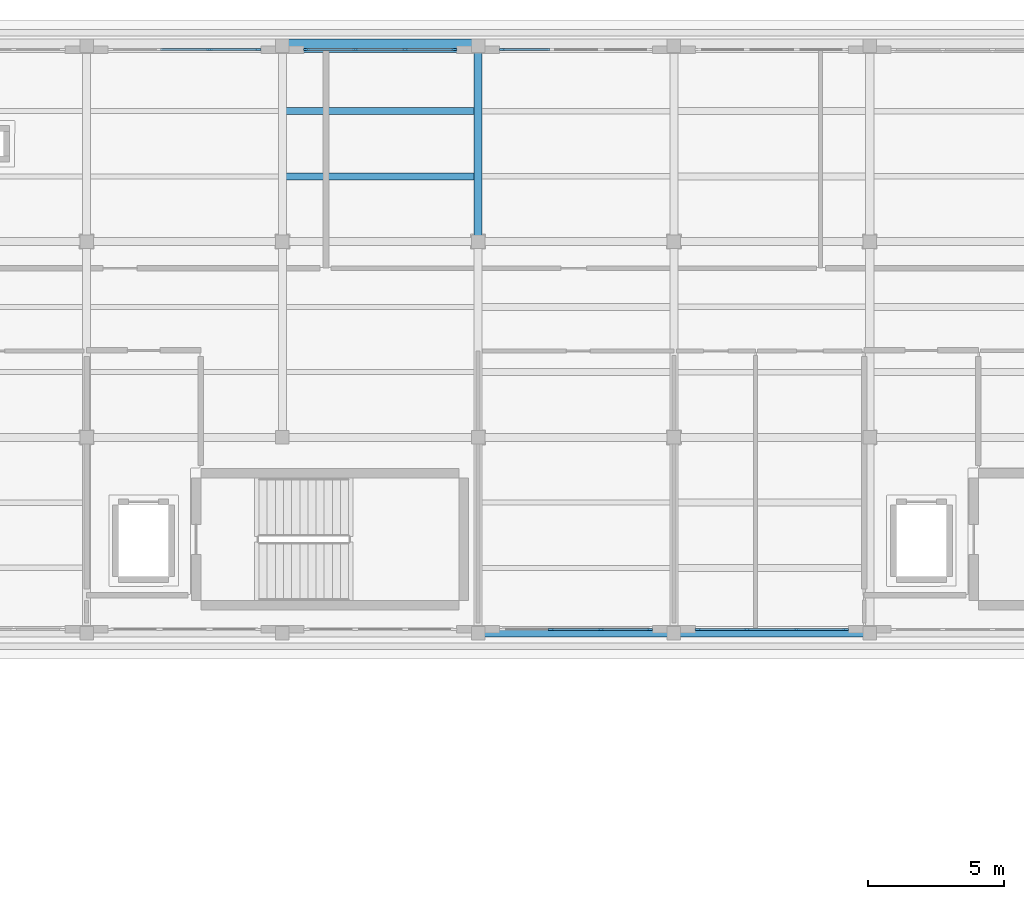
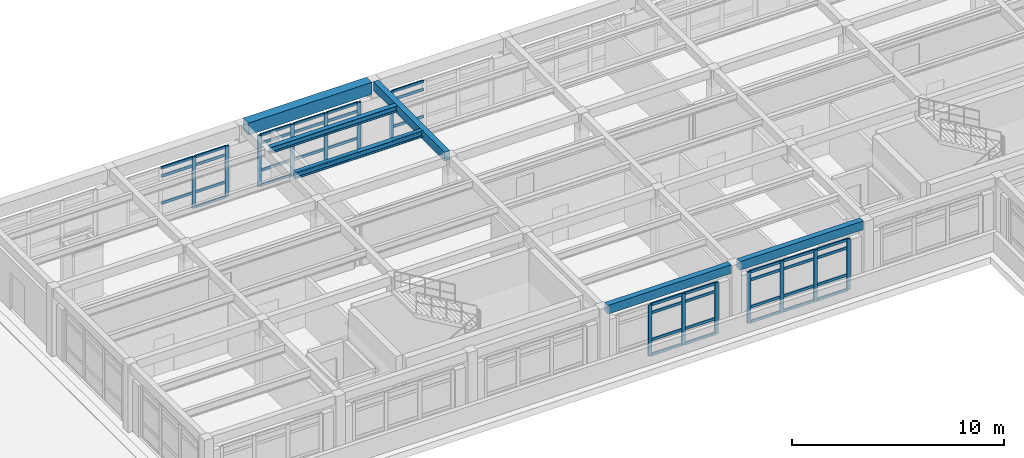
# One storey, part 4 of 18: 57 members, 6 beams, 5 elements without a shape of their own.
"""IFC4 building model written with IfcOpenShell, lengths in metres."""

from ifc_helpers import new_model, si_unit, direction, frame, origin, origin_2d, place, context, subcontext, project, spatial, rectangle, i_section, extrude, material, layer, layer_set, material_profile, profile_set, type_object, element, aggregate, save


model = new_model("IFC4")

# Units and contexts
model_context = context("Model", 3, precision=1e-05, world=origin(), true_north=direction((0.0, 1.0)))
body_context = subcontext(model_context, "Body", "Model", "MODEL_VIEW")
ifc_project = project(units=[si_unit("LENGTHUNIT", "METRE"), si_unit("AREAUNIT", "SQUARE_METRE"), si_unit("VOLUMEUNIT", "CUBIC_METRE"), si_unit("PLANEANGLEUNIT", "RADIAN"), si_unit("MASSUNIT", "GRAM", prefix="KILO")], contexts=[model_context])

# Site, building, storey
site_placement = place(None, origin())
site = spatial("IfcSite", under=ifc_project, at=site_placement, CompositionType="ELEMENT")
building_placement = place(site_placement, origin())
building = spatial("IfcBuilding", under=site, at=building_placement, Name="Solenvale Faculty of Natural Sciences", CompositionType="ELEMENT")
storey_placement = place(building_placement, frame((0.0, 0.0, 39.60009765625)))
storey = spatial("IfcBuildingStorey", under=building, at=storey_placement, Name="L09", CompositionType="ELEMENT", Elevation=39.60009765625)

# Beams
ifc_material_1 = material(Name="Concrete 40 MPa", Category="concrete")
ifc_material_profile_1 = material_profile(ifc_material_1, rectangle(XDim=0.300048828125, YDim=0.5, at=origin_2d()), Name="RC-BM-300x500")
ifc_profile_set_1 = profile_set([ifc_material_profile_1], Name="Concrete 40 MPa")
beam_type_1 = type_object("IfcBeamType", Name="BM-RC-300x500", PredefinedType="BEAM", material=ifc_profile_set_1)
beam_1_placement = place(storey_placement, frame((115.429931640625, 93.60009765625, 3.669921875), z_axis=(1.0, 0.0, 0.0), x_axis=(0.0, 1.0, 0.0)))
element("IfcBeam", 1, at=beam_1_placement, inside=storey, type_object=beam_type_1, Name="L09 X-Girder Y93.6 (115.2..122.4)", PredefinedType="BEAM", context=body_context, shape_type="SweptSolid", body=[
    extrude(rectangle(XDim=0.300048828125, YDim=0.5, at=origin_2d()), origin(), (0.0, 0.0, 1.0), 6.739990234375),
])
beam_2_placement = place(storey_placement, frame((122.6298828125, 93.60009765625, 3.669921875), z_axis=(1.0, 0.0, 0.0), x_axis=(0.0, 1.0, 0.0)))
element("IfcBeam", 2, at=beam_2_placement, inside=storey, type_object=beam_type_1, Name="L09 X-Girder Y93.6 (122.4..129.6)", PredefinedType="BEAM", context=body_context, shape_type="SweptSolid", body=[
    extrude(rectangle(XDim=0.300048828125, YDim=0.5, at=origin_2d()), origin(), (0.0, 0.0, 1.0), 6.740234375),
])
beam_3_placement = place(storey_placement, frame((115.199951171875, 108.22998046875, 3.669921875), z_axis=(0.0, 1.0, 0.0), x_axis=(-1.0, 0.0, 0.0)))
element("IfcBeam", 3, at=beam_3_placement, inside=storey, type_object=beam_type_1, Name="L09 Y-Girder X115.2 (108.0..115.2)", PredefinedType="BEAM", context=body_context, shape_type="SweptSolid", body=[
    extrude(rectangle(XDim=0.300048828125, YDim=0.5, at=origin_2d()), origin(), (0.0, 0.0, 1.0), 6.739990234375),
])
ifc_material_2 = material(Name="Precast concrete 40 MPa", Category="concrete")
ifc_material_profile_2 = material_profile(ifc_material_2, rectangle(XDim=0.5, YDim=0.699951171875, at=origin_2d()), Name="RC-BM-500x700")
ifc_profile_set_2 = profile_set([ifc_material_profile_2], Name="Precast concrete 40 MPa")
beam_type_2 = type_object("IfcBeamType", Name="BM-SPN-PRC-700", PredefinedType="SPANDREL", material=ifc_profile_set_2)
beam_4_placement = place(storey_placement, frame((108.22998046875, 115.199951171875, 3.56982421875), z_axis=(1.0, 0.0, 0.0), x_axis=(0.0, 1.0, 0.0)))
element("IfcBeam", 4, at=beam_4_placement, inside=storey, type_object=beam_type_2, Name="L09 X-Girder Y115.2 (108.0..115.2)", PredefinedType="SPANDREL", context=body_context, shape_type="SweptSolid", body=[
    extrude(rectangle(XDim=0.5, YDim=0.699951171875, at=origin_2d()), origin(), (0.0, 0.0, 1.0), 6.739990234375),
])
ifc_material_3 = material(Name="Steel S355", Category="steel")
ifc_material_profile_3 = material_profile(ifc_material_3, i_section(OverallWidth=0.2548828125, OverallDepth=0.35693359375, WebThickness=0.010498046875, FlangeThickness=0.018310546875, FilletRadius=0.014892578125, at=origin_2d()), Name="W360x101")
ifc_profile_set_3 = profile_set([ifc_material_profile_3], Name="Steel S355")
beam_type_3 = type_object("IfcBeamType", Name="BM-STL-W360x101", PredefinedType="JOIST", material=ifc_profile_set_3)
for number, where, z_axis, x_axis, name in (
    (5, (108.1298828125, 110.39990234375, 3.741455078125), (1.0, 0.0, 0.0), (0.0, 1.0, 0.0), "L09 Composite Floor Joist (16,16).1"),
    (6, (108.1298828125, 112.800048828125, 3.741455078125), (1.0, 0.0, 0.0), (0.0, 1.0, 0.0), "L09 Composite Floor Joist (16,16).2"),
):
    element("IfcBeam", number, at=place(storey_placement, frame(where, z_axis=z_axis, x_axis=x_axis)), inside=storey, type_object=beam_type_3, Name=name, PredefinedType="JOIST", context=body_context, shape_type="SweptSolid", body=[
        extrude(i_section(OverallWidth=0.2548828125, OverallDepth=0.35693359375, WebThickness=0.010498046875, FlangeThickness=0.018310546875, FilletRadius=0.014892578125, at=origin_2d()), origin(), (0.0, 0.0, 1.0), 6.940185546875),
    ])

# Curtain wall, member
ifc_material_4 = material(Name="Anodised bronze aluminium", Category="aluminium")
ifc_layer = layer(ifc_material_4, 0.179931640625)
ifc_layer_set = layer_set([ifc_layer], Name="Anodised bronze aluminium")
curtain_wall_type = type_object("IfcCurtainWallType", Name="CW-TWR-MOD", PredefinedType="USERDEFINED", material=ifc_layer_set)
curtain_wall_1_placement = place(storey_placement, origin())
curtain_wall_1 = element("IfcCurtainWall", 7, at=curtain_wall_1_placement, inside=storey, type_object=curtain_wall_type, Name="L09 Curtain Wall CW-L09-P1-E2-B5", ObjectType="UNITISED CURTAIN WALL", PredefinedType="USERDEFINED")
ifc_material_profile_4 = material_profile(ifc_material_4, rectangle(XDim=0.074951171875, YDim=0.2099609375, at=origin_2d()), Name="ALU-MUL-75x210")
ifc_profile_set_4 = profile_set([ifc_material_profile_4], Name="Anodised bronze aluminium")
member_type_1 = type_object("IfcMemberType", Name="CWM-ALU-75x210", PredefinedType="MULLION", material=ifc_profile_set_4)
member_1_placement = place(storey_placement, frame((116.08740234375, 115.0576171875, 0.0), z_axis=(0.0, 0.0, 1.0), x_axis=(0.0, -1.0, 0.0)))
member_1 = element("IfcMember", 8, at=member_1_placement, type_object=member_type_1, Name="CW-04 mullion 4", PredefinedType="MULLION", context=body_context, shape_type="SweptSolid", body=[
    extrude(rectangle(XDim=0.074951171875, YDim=0.2099609375, at=origin_2d()), origin(), (0.0, 0.0, 1.0), 2.9599609375),
])

# Curtain wall, members
curtain_wall_2_placement = place(storey_placement, origin())
curtain_wall_2 = element("IfcCurtainWall", 9, at=curtain_wall_2_placement, inside=storey, type_object=curtain_wall_type, Name="L09 Curtain Wall CW-L09-P1-E2-B6", ObjectType="UNITISED CURTAIN WALL", PredefinedType="USERDEFINED")
member_2_placement = place(storey_placement, frame((114.3125, 115.0576171875, 0.0), z_axis=(0.0, 0.0, 1.0), x_axis=(0.0, -1.0, 0.0)))
member_2 = element("IfcMember", 10, at=member_2_placement, type_object=member_type_1, Name="CW-04 mullion 1", PredefinedType="MULLION", context=body_context, shape_type="SweptSolid", body=[
    extrude(rectangle(XDim=0.074951171875, YDim=0.2099609375, at=origin_2d()), origin(), (0.0, 0.0, 1.0), 2.9599609375),
])
member_3_placement = place(storey_placement, frame((112.5166015625, 115.0576171875, 0.0), z_axis=(0.0, 0.0, 1.0), x_axis=(0.0, -1.0, 0.0)))
member_3 = element("IfcMember", 11, at=member_3_placement, type_object=member_type_1, Name="CW-04 mullion 2", PredefinedType="MULLION", context=body_context, shape_type="SweptSolid", body=[
    extrude(rectangle(XDim=0.074951171875, YDim=0.2099609375, at=origin_2d()), origin(), (0.0, 0.0, 1.0), 2.9599609375),
])
member_4_placement = place(storey_placement, frame((110.683349609375, 115.0576171875, 0.0), z_axis=(0.0, 0.0, 1.0), x_axis=(0.0, -1.0, 0.0)))
member_4 = element("IfcMember", 12, at=member_4_placement, type_object=member_type_1, Name="CW-04 mullion 3", PredefinedType="MULLION", context=body_context, shape_type="SweptSolid", body=[
    extrude(rectangle(XDim=0.074951171875, YDim=0.2099609375, at=origin_2d()), origin(), (0.0, 0.0, 1.0), 2.9599609375),
])
member_5_placement = place(storey_placement, frame((108.887451171875, 115.0576171875, 0.0), z_axis=(0.0, 0.0, 1.0), x_axis=(0.0, -1.0, 0.0)))
member_5 = element("IfcMember", 13, at=member_5_placement, type_object=member_type_1, Name="CW-04 mullion 4", PredefinedType="MULLION", context=body_context, shape_type="SweptSolid", body=[
    extrude(rectangle(XDim=0.074951171875, YDim=0.2099609375, at=origin_2d()), origin(), (0.0, 0.0, 1.0), 2.9599609375),
])

curtain_wall_3_placement = place(storey_placement, origin())
curtain_wall_3 = element("IfcCurtainWall", 14, at=curtain_wall_3_placement, inside=storey, type_object=curtain_wall_type, Name="L09 Curtain Wall CW-L09-P1-E2-B7", ObjectType="UNITISED CURTAIN WALL", PredefinedType="USERDEFINED")
member_6_placement = place(storey_placement, frame((107.112548828125, 115.0576171875, 0.0), z_axis=(0.0, 0.0, 1.0), x_axis=(0.0, -1.0, 0.0)))
member_6 = element("IfcMember", 15, at=member_6_placement, type_object=member_type_1, Name="CW-04 mullion 1", PredefinedType="MULLION", context=body_context, shape_type="SweptSolid", body=[
    extrude(rectangle(XDim=0.074951171875, YDim=0.2099609375, at=origin_2d()), origin(), (0.0, 0.0, 1.0), 2.9599609375),
])
member_7_placement = place(storey_placement, frame((105.316650390625, 115.0576171875, 0.0), z_axis=(0.0, 0.0, 1.0), x_axis=(0.0, -1.0, 0.0)))
member_7 = element("IfcMember", 16, at=member_7_placement, type_object=member_type_1, Name="CW-04 mullion 2", PredefinedType="MULLION", context=body_context, shape_type="SweptSolid", body=[
    extrude(rectangle(XDim=0.074951171875, YDim=0.2099609375, at=origin_2d()), origin(), (0.0, 0.0, 1.0), 2.9599609375),
])

curtain_wall_4_placement = place(storey_placement, origin())
curtain_wall_4 = element("IfcCurtainWall", 17, at=curtain_wall_4_placement, inside=storey, type_object=curtain_wall_type, Name="L09 Curtain Wall CW-L09-P1-E4-B4", ObjectType="UNITISED CURTAIN WALL", PredefinedType="USERDEFINED")
member_8_placement = place(storey_placement, frame((117.88330078125, 93.742431640625, 0.0), z_axis=(0.0, 0.0, 1.0), x_axis=(0.0, 1.0, 0.0)))
member_8 = element("IfcMember", 18, at=member_8_placement, type_object=member_type_1, Name="CW-04 mullion 2", PredefinedType="MULLION", context=body_context, shape_type="SweptSolid", body=[
    extrude(rectangle(XDim=0.074951171875, YDim=0.2099609375, at=origin_2d()), origin(), (0.0, 0.0, 1.0), 2.9599609375),
])
member_9_placement = place(storey_placement, frame((119.716552734375, 93.742431640625, 0.0), z_axis=(0.0, 0.0, 1.0), x_axis=(0.0, 1.0, 0.0)))
member_9 = element("IfcMember", 19, at=member_9_placement, type_object=member_type_1, Name="CW-04 mullion 3", PredefinedType="MULLION", context=body_context, shape_type="SweptSolid", body=[
    extrude(rectangle(XDim=0.074951171875, YDim=0.2099609375, at=origin_2d()), origin(), (0.0, 0.0, 1.0), 2.9599609375),
])
member_10_placement = place(storey_placement, frame((121.512451171875, 93.742431640625, 0.0), z_axis=(0.0, 0.0, 1.0), x_axis=(0.0, 1.0, 0.0)))
member_10 = element("IfcMember", 20, at=member_10_placement, type_object=member_type_1, Name="CW-04 mullion 4", PredefinedType="MULLION", context=body_context, shape_type="SweptSolid", body=[
    extrude(rectangle(XDim=0.074951171875, YDim=0.2099609375, at=origin_2d()), origin(), (0.0, 0.0, 1.0), 2.9599609375),
])

curtain_wall_5_placement = place(storey_placement, origin())
curtain_wall_5 = element("IfcCurtainWall", 21, at=curtain_wall_5_placement, inside=storey, type_object=curtain_wall_type, Name="L09 Curtain Wall CW-L09-P1-E4-B5", ObjectType="UNITISED CURTAIN WALL", PredefinedType="USERDEFINED")
member_11_placement = place(storey_placement, frame((123.28759765625, 93.742431640625, 0.0), z_axis=(0.0, 0.0, 1.0), x_axis=(0.0, 1.0, 0.0)))
member_11 = element("IfcMember", 22, at=member_11_placement, type_object=member_type_1, Name="CW-04 mullion 1", PredefinedType="MULLION", context=body_context, shape_type="SweptSolid", body=[
    extrude(rectangle(XDim=0.074951171875, YDim=0.2099609375, at=origin_2d()), origin(), (0.0, 0.0, 1.0), 2.9599609375),
])
member_12_placement = place(storey_placement, frame((125.083251953125, 93.742431640625, 0.0), z_axis=(0.0, 0.0, 1.0), x_axis=(0.0, 1.0, 0.0)))
member_12 = element("IfcMember", 23, at=member_12_placement, type_object=member_type_1, Name="CW-04 mullion 2", PredefinedType="MULLION", context=body_context, shape_type="SweptSolid", body=[
    extrude(rectangle(XDim=0.074951171875, YDim=0.2099609375, at=origin_2d()), origin(), (0.0, 0.0, 1.0), 2.9599609375),
])
member_13_placement = place(storey_placement, frame((126.916748046875, 93.742431640625, 0.0), z_axis=(0.0, 0.0, 1.0), x_axis=(0.0, 1.0, 0.0)))
member_13 = element("IfcMember", 24, at=member_13_placement, type_object=member_type_1, Name="CW-04 mullion 3", PredefinedType="MULLION", context=body_context, shape_type="SweptSolid", body=[
    extrude(rectangle(XDim=0.074951171875, YDim=0.2099609375, at=origin_2d()), origin(), (0.0, 0.0, 1.0), 2.9599609375),
])
member_14_placement = place(storey_placement, frame((128.71240234375, 93.742431640625, 0.0), z_axis=(0.0, 0.0, 1.0), x_axis=(0.0, 1.0, 0.0)))
member_14 = element("IfcMember", 25, at=member_14_placement, type_object=member_type_1, Name="CW-04 mullion 4", PredefinedType="MULLION", context=body_context, shape_type="SweptSolid", body=[
    extrude(rectangle(XDim=0.074951171875, YDim=0.2099609375, at=origin_2d()), origin(), (0.0, 0.0, 1.0), 2.9599609375),
])

# Member
ifc_material_profile_5 = material_profile(ifc_material_4, rectangle(XDim=0.074951171875, YDim=0.155029296875, at=origin_2d()), Name="ALU-TRN-75x155")
ifc_profile_set_5 = profile_set([ifc_material_profile_5], Name="Anodised bronze aluminium")
member_type_2 = type_object("IfcMemberType", Name="CWT-ALU-75x155", PredefinedType="USERDEFINED", material=ifc_profile_set_5)
member_15_placement = place(storey_placement, frame((117.845947265625, 115.0576171875, 0.037353515625), z_axis=(-1.0, 0.0, 0.0), x_axis=(0.0, -1.0, 0.0)))
member_15 = element("IfcMember", 26, at=member_15_placement, type_object=member_type_2, Name="CW-04 transom 3.1", ObjectType="TRANSOM", PredefinedType="USERDEFINED", context=body_context, shape_type="SweptSolid", body=[
    extrude(rectangle(XDim=0.074951171875, YDim=0.155029296875, at=origin_2d()), origin(), (0.0, 0.0, 1.0), 1.720947265625),
])

member_16_placement = place(storey_placement, frame((117.845947265625, 115.0576171875, 0.89990234375), z_axis=(-1.0, 0.0, 0.0), x_axis=(0.0, -1.0, 0.0)))
member_16 = element("IfcMember", 27, at=member_16_placement, type_object=member_type_2, Name="CW-04 transom 3.2", ObjectType="TRANSOM", PredefinedType="USERDEFINED", context=body_context, shape_type="SweptSolid", body=[
    extrude(rectangle(XDim=0.074951171875, YDim=0.155029296875, at=origin_2d()), origin(), (0.0, 0.0, 1.0), 1.720947265625),
])

member_17_placement = place(storey_placement, frame((117.845947265625, 115.0576171875, 2.4599609375), z_axis=(-1.0, 0.0, 0.0), x_axis=(0.0, -1.0, 0.0)))
member_17 = element("IfcMember", 28, at=member_17_placement, type_object=member_type_2, Name="CW-04 transom 3.3", ObjectType="TRANSOM", PredefinedType="USERDEFINED", context=body_context, shape_type="SweptSolid", body=[
    extrude(rectangle(XDim=0.074951171875, YDim=0.155029296875, at=origin_2d()), origin(), (0.0, 0.0, 1.0), 1.720947265625),
])

member_18_placement = place(storey_placement, frame((117.845947265625, 115.0576171875, 2.92236328125), z_axis=(-1.0, 0.0, 0.0), x_axis=(0.0, -1.0, 0.0)))
member_18 = element("IfcMember", 29, at=member_18_placement, type_object=member_type_2, Name="CW-04 transom 3.4", ObjectType="TRANSOM", PredefinedType="USERDEFINED", context=body_context, shape_type="SweptSolid", body=[
    extrude(rectangle(XDim=0.074951171875, YDim=0.155029296875, at=origin_2d()), origin(), (0.0, 0.0, 1.0), 1.720947265625),
])

aggregate(curtain_wall_1, [member_1, member_15, member_16, member_17, member_18])

member_19_placement = place(storey_placement, frame((114.27490234375, 115.0576171875, 0.037353515625), z_axis=(-1.0, 0.0, 0.0), x_axis=(0.0, -1.0, 0.0)))
member_19 = element("IfcMember", 30, at=member_19_placement, type_object=member_type_2, Name="CW-04 transom 1.1", ObjectType="TRANSOM", PredefinedType="USERDEFINED", context=body_context, shape_type="SweptSolid", body=[
    extrude(rectangle(XDim=0.074951171875, YDim=0.155029296875, at=origin_2d()), origin(), (0.0, 0.0, 1.0), 1.720703125),
])

member_20_placement = place(storey_placement, frame((114.27490234375, 115.0576171875, 0.89990234375), z_axis=(-1.0, 0.0, 0.0), x_axis=(0.0, -1.0, 0.0)))
member_20 = element("IfcMember", 31, at=member_20_placement, type_object=member_type_2, Name="CW-04 transom 1.2", ObjectType="TRANSOM", PredefinedType="USERDEFINED", context=body_context, shape_type="SweptSolid", body=[
    extrude(rectangle(XDim=0.074951171875, YDim=0.155029296875, at=origin_2d()), origin(), (0.0, 0.0, 1.0), 1.720703125),
])

member_21_placement = place(storey_placement, frame((114.27490234375, 115.0576171875, 2.4599609375), z_axis=(-1.0, 0.0, 0.0), x_axis=(0.0, -1.0, 0.0)))
member_21 = element("IfcMember", 32, at=member_21_placement, type_object=member_type_2, Name="CW-04 transom 1.3", ObjectType="TRANSOM", PredefinedType="USERDEFINED", context=body_context, shape_type="SweptSolid", body=[
    extrude(rectangle(XDim=0.074951171875, YDim=0.155029296875, at=origin_2d()), origin(), (0.0, 0.0, 1.0), 1.720703125),
])

member_22_placement = place(storey_placement, frame((114.27490234375, 115.0576171875, 2.92236328125), z_axis=(-1.0, 0.0, 0.0), x_axis=(0.0, -1.0, 0.0)))
member_22 = element("IfcMember", 33, at=member_22_placement, type_object=member_type_2, Name="CW-04 transom 1.4", ObjectType="TRANSOM", PredefinedType="USERDEFINED", context=body_context, shape_type="SweptSolid", body=[
    extrude(rectangle(XDim=0.074951171875, YDim=0.155029296875, at=origin_2d()), origin(), (0.0, 0.0, 1.0), 1.720703125),
])

member_23_placement = place(storey_placement, frame((112.479248046875, 115.0576171875, 0.037353515625), z_axis=(-1.0, 0.0, 0.0), x_axis=(0.0, -1.0, 0.0)))
member_23 = element("IfcMember", 34, at=member_23_placement, type_object=member_type_2, Name="CW-04 transom 2.1", ObjectType="TRANSOM", PredefinedType="USERDEFINED", context=body_context, shape_type="SweptSolid", body=[
    extrude(rectangle(XDim=0.074951171875, YDim=0.155029296875, at=origin_2d()), origin(), (0.0, 0.0, 1.0), 1.75830078125),
])

member_24_placement = place(storey_placement, frame((112.479248046875, 115.0576171875, 0.89990234375), z_axis=(-1.0, 0.0, 0.0), x_axis=(0.0, -1.0, 0.0)))
member_24 = element("IfcMember", 35, at=member_24_placement, type_object=member_type_2, Name="CW-04 transom 2.2", ObjectType="TRANSOM", PredefinedType="USERDEFINED", context=body_context, shape_type="SweptSolid", body=[
    extrude(rectangle(XDim=0.074951171875, YDim=0.155029296875, at=origin_2d()), origin(), (0.0, 0.0, 1.0), 1.75830078125),
])

member_25_placement = place(storey_placement, frame((112.479248046875, 115.0576171875, 2.4599609375), z_axis=(-1.0, 0.0, 0.0), x_axis=(0.0, -1.0, 0.0)))
member_25 = element("IfcMember", 36, at=member_25_placement, type_object=member_type_2, Name="CW-04 transom 2.3", ObjectType="TRANSOM", PredefinedType="USERDEFINED", context=body_context, shape_type="SweptSolid", body=[
    extrude(rectangle(XDim=0.074951171875, YDim=0.155029296875, at=origin_2d()), origin(), (0.0, 0.0, 1.0), 1.75830078125),
])

member_26_placement = place(storey_placement, frame((112.479248046875, 115.0576171875, 2.92236328125), z_axis=(-1.0, 0.0, 0.0), x_axis=(0.0, -1.0, 0.0)))
member_26 = element("IfcMember", 37, at=member_26_placement, type_object=member_type_2, Name="CW-04 transom 2.4", ObjectType="TRANSOM", PredefinedType="USERDEFINED", context=body_context, shape_type="SweptSolid", body=[
    extrude(rectangle(XDim=0.074951171875, YDim=0.155029296875, at=origin_2d()), origin(), (0.0, 0.0, 1.0), 1.75830078125),
])

member_27_placement = place(storey_placement, frame((110.645751953125, 115.0576171875, 0.037353515625), z_axis=(-1.0, 0.0, 0.0), x_axis=(0.0, -1.0, 0.0)))
member_27 = element("IfcMember", 38, at=member_27_placement, type_object=member_type_2, Name="CW-04 transom 3.1", ObjectType="TRANSOM", PredefinedType="USERDEFINED", context=body_context, shape_type="SweptSolid", body=[
    extrude(rectangle(XDim=0.074951171875, YDim=0.155029296875, at=origin_2d()), origin(), (0.0, 0.0, 1.0), 1.720703125),
])

member_28_placement = place(storey_placement, frame((110.645751953125, 115.0576171875, 0.89990234375), z_axis=(-1.0, 0.0, 0.0), x_axis=(0.0, -1.0, 0.0)))
member_28 = element("IfcMember", 39, at=member_28_placement, type_object=member_type_2, Name="CW-04 transom 3.2", ObjectType="TRANSOM", PredefinedType="USERDEFINED", context=body_context, shape_type="SweptSolid", body=[
    extrude(rectangle(XDim=0.074951171875, YDim=0.155029296875, at=origin_2d()), origin(), (0.0, 0.0, 1.0), 1.720703125),
])

member_29_placement = place(storey_placement, frame((110.645751953125, 115.0576171875, 2.4599609375), z_axis=(-1.0, 0.0, 0.0), x_axis=(0.0, -1.0, 0.0)))
member_29 = element("IfcMember", 40, at=member_29_placement, type_object=member_type_2, Name="CW-04 transom 3.3", ObjectType="TRANSOM", PredefinedType="USERDEFINED", context=body_context, shape_type="SweptSolid", body=[
    extrude(rectangle(XDim=0.074951171875, YDim=0.155029296875, at=origin_2d()), origin(), (0.0, 0.0, 1.0), 1.720703125),
])

member_30_placement = place(storey_placement, frame((110.645751953125, 115.0576171875, 2.92236328125), z_axis=(-1.0, 0.0, 0.0), x_axis=(0.0, -1.0, 0.0)))
member_30 = element("IfcMember", 41, at=member_30_placement, type_object=member_type_2, Name="CW-04 transom 3.4", ObjectType="TRANSOM", PredefinedType="USERDEFINED", context=body_context, shape_type="SweptSolid", body=[
    extrude(rectangle(XDim=0.074951171875, YDim=0.155029296875, at=origin_2d()), origin(), (0.0, 0.0, 1.0), 1.720703125),
])

aggregate(curtain_wall_2, [member_2, member_3, member_4, member_5, member_19, member_20, member_21, member_22, member_23, member_24, member_25, member_26, member_27, member_28, member_29, member_30])

member_31_placement = place(storey_placement, frame((107.074951171875, 115.0576171875, 0.037353515625), z_axis=(-1.0, 0.0, 0.0), x_axis=(0.0, -1.0, 0.0)))
member_31 = element("IfcMember", 42, at=member_31_placement, type_object=member_type_2, Name="CW-04 transom 1.1", ObjectType="TRANSOM", PredefinedType="USERDEFINED", context=body_context, shape_type="SweptSolid", body=[
    extrude(rectangle(XDim=0.074951171875, YDim=0.155029296875, at=origin_2d()), origin(), (0.0, 0.0, 1.0), 1.720703125),
])

member_32_placement = place(storey_placement, frame((107.074951171875, 115.0576171875, 0.89990234375), z_axis=(-1.0, 0.0, 0.0), x_axis=(0.0, -1.0, 0.0)))
member_32 = element("IfcMember", 43, at=member_32_placement, type_object=member_type_2, Name="CW-04 transom 1.2", ObjectType="TRANSOM", PredefinedType="USERDEFINED", context=body_context, shape_type="SweptSolid", body=[
    extrude(rectangle(XDim=0.074951171875, YDim=0.155029296875, at=origin_2d()), origin(), (0.0, 0.0, 1.0), 1.720703125),
])

member_33_placement = place(storey_placement, frame((107.074951171875, 115.0576171875, 2.4599609375), z_axis=(-1.0, 0.0, 0.0), x_axis=(0.0, -1.0, 0.0)))
member_33 = element("IfcMember", 44, at=member_33_placement, type_object=member_type_2, Name="CW-04 transom 1.3", ObjectType="TRANSOM", PredefinedType="USERDEFINED", context=body_context, shape_type="SweptSolid", body=[
    extrude(rectangle(XDim=0.074951171875, YDim=0.155029296875, at=origin_2d()), origin(), (0.0, 0.0, 1.0), 1.720703125),
])

member_34_placement = place(storey_placement, frame((107.074951171875, 115.0576171875, 2.92236328125), z_axis=(-1.0, 0.0, 0.0), x_axis=(0.0, -1.0, 0.0)))
member_34 = element("IfcMember", 45, at=member_34_placement, type_object=member_type_2, Name="CW-04 transom 1.4", ObjectType="TRANSOM", PredefinedType="USERDEFINED", context=body_context, shape_type="SweptSolid", body=[
    extrude(rectangle(XDim=0.074951171875, YDim=0.155029296875, at=origin_2d()), origin(), (0.0, 0.0, 1.0), 1.720703125),
])

member_35_placement = place(storey_placement, frame((105.279052734375, 115.0576171875, 0.89990234375), z_axis=(-1.0, 0.0, 0.0), x_axis=(0.0, -1.0, 0.0)))
member_35 = element("IfcMember", 46, at=member_35_placement, type_object=member_type_2, Name="CW-04 transom 2.2", ObjectType="TRANSOM", PredefinedType="USERDEFINED", context=body_context, shape_type="SweptSolid", body=[
    extrude(rectangle(XDim=0.074951171875, YDim=0.155029296875, at=origin_2d()), origin(), (0.0, 0.0, 1.0), 1.75830078125),
])

member_36_placement = place(storey_placement, frame((105.279052734375, 115.0576171875, 2.4599609375), z_axis=(-1.0, 0.0, 0.0), x_axis=(0.0, -1.0, 0.0)))
member_36 = element("IfcMember", 47, at=member_36_placement, type_object=member_type_2, Name="CW-04 transom 2.3", ObjectType="TRANSOM", PredefinedType="USERDEFINED", context=body_context, shape_type="SweptSolid", body=[
    extrude(rectangle(XDim=0.074951171875, YDim=0.155029296875, at=origin_2d()), origin(), (0.0, 0.0, 1.0), 1.75830078125),
])

member_37_placement = place(storey_placement, frame((105.279052734375, 115.0576171875, 2.92236328125), z_axis=(-1.0, 0.0, 0.0), x_axis=(0.0, -1.0, 0.0)))
member_37 = element("IfcMember", 48, at=member_37_placement, type_object=member_type_2, Name="CW-04 transom 2.4", ObjectType="TRANSOM", PredefinedType="USERDEFINED", context=body_context, shape_type="SweptSolid", body=[
    extrude(rectangle(XDim=0.074951171875, YDim=0.155029296875, at=origin_2d()), origin(), (0.0, 0.0, 1.0), 1.75830078125),
])

aggregate(curtain_wall_3, [member_6, member_7, member_31, member_32, member_33, member_34, member_35, member_36, member_37])

member_38_placement = place(storey_placement, frame((117.9208984375, 93.742431640625, 0.037353515625), z_axis=(1.0, 0.0, 0.0), x_axis=(0.0, 1.0, 0.0)))
member_38 = element("IfcMember", 49, at=member_38_placement, type_object=member_type_2, Name="CW-04 transom 2.1", ObjectType="TRANSOM", PredefinedType="USERDEFINED", context=body_context, shape_type="SweptSolid", body=[
    extrude(rectangle(XDim=0.074951171875, YDim=0.155029296875, at=origin_2d()), origin(), (0.0, 0.0, 1.0), 1.75830078125),
])

member_39_placement = place(storey_placement, frame((117.9208984375, 93.742431640625, 0.89990234375), z_axis=(1.0, 0.0, 0.0), x_axis=(0.0, 1.0, 0.0)))
member_39 = element("IfcMember", 50, at=member_39_placement, type_object=member_type_2, Name="CW-04 transom 2.2", ObjectType="TRANSOM", PredefinedType="USERDEFINED", context=body_context, shape_type="SweptSolid", body=[
    extrude(rectangle(XDim=0.074951171875, YDim=0.155029296875, at=origin_2d()), origin(), (0.0, 0.0, 1.0), 1.75830078125),
])

member_40_placement = place(storey_placement, frame((117.9208984375, 93.742431640625, 2.4599609375), z_axis=(1.0, 0.0, 0.0), x_axis=(0.0, 1.0, 0.0)))
member_40 = element("IfcMember", 51, at=member_40_placement, type_object=member_type_2, Name="CW-04 transom 2.3", ObjectType="TRANSOM", PredefinedType="USERDEFINED", context=body_context, shape_type="SweptSolid", body=[
    extrude(rectangle(XDim=0.074951171875, YDim=0.155029296875, at=origin_2d()), origin(), (0.0, 0.0, 1.0), 1.75830078125),
])

member_41_placement = place(storey_placement, frame((117.9208984375, 93.742431640625, 2.92236328125), z_axis=(1.0, 0.0, 0.0), x_axis=(0.0, 1.0, 0.0)))
member_41 = element("IfcMember", 52, at=member_41_placement, type_object=member_type_2, Name="CW-04 transom 2.4", ObjectType="TRANSOM", PredefinedType="USERDEFINED", context=body_context, shape_type="SweptSolid", body=[
    extrude(rectangle(XDim=0.074951171875, YDim=0.155029296875, at=origin_2d()), origin(), (0.0, 0.0, 1.0), 1.75830078125),
])

member_42_placement = place(storey_placement, frame((119.754150390625, 93.742431640625, 0.037353515625), z_axis=(1.0, 0.0, 0.0), x_axis=(0.0, 1.0, 0.0)))
member_42 = element("IfcMember", 53, at=member_42_placement, type_object=member_type_2, Name="CW-04 transom 3.1", ObjectType="TRANSOM", PredefinedType="USERDEFINED", context=body_context, shape_type="SweptSolid", body=[
    extrude(rectangle(XDim=0.074951171875, YDim=0.155029296875, at=origin_2d()), origin(), (0.0, 0.0, 1.0), 1.720947265625),
])

member_43_placement = place(storey_placement, frame((119.754150390625, 93.742431640625, 0.89990234375), z_axis=(1.0, 0.0, 0.0), x_axis=(0.0, 1.0, 0.0)))
member_43 = element("IfcMember", 54, at=member_43_placement, type_object=member_type_2, Name="CW-04 transom 3.2", ObjectType="TRANSOM", PredefinedType="USERDEFINED", context=body_context, shape_type="SweptSolid", body=[
    extrude(rectangle(XDim=0.074951171875, YDim=0.155029296875, at=origin_2d()), origin(), (0.0, 0.0, 1.0), 1.720947265625),
])

member_44_placement = place(storey_placement, frame((119.754150390625, 93.742431640625, 2.4599609375), z_axis=(1.0, 0.0, 0.0), x_axis=(0.0, 1.0, 0.0)))
member_44 = element("IfcMember", 55, at=member_44_placement, type_object=member_type_2, Name="CW-04 transom 3.3", ObjectType="TRANSOM", PredefinedType="USERDEFINED", context=body_context, shape_type="SweptSolid", body=[
    extrude(rectangle(XDim=0.074951171875, YDim=0.155029296875, at=origin_2d()), origin(), (0.0, 0.0, 1.0), 1.720947265625),
])

member_45_placement = place(storey_placement, frame((119.754150390625, 93.742431640625, 2.92236328125), z_axis=(1.0, 0.0, 0.0), x_axis=(0.0, 1.0, 0.0)))
member_45 = element("IfcMember", 56, at=member_45_placement, type_object=member_type_2, Name="CW-04 transom 3.4", ObjectType="TRANSOM", PredefinedType="USERDEFINED", context=body_context, shape_type="SweptSolid", body=[
    extrude(rectangle(XDim=0.074951171875, YDim=0.155029296875, at=origin_2d()), origin(), (0.0, 0.0, 1.0), 1.720947265625),
])

aggregate(curtain_wall_4, [member_8, member_9, member_10, member_38, member_39, member_40, member_41, member_42, member_43, member_44, member_45])

member_46_placement = place(storey_placement, frame((123.324951171875, 93.742431640625, 0.037353515625), z_axis=(1.0, 0.0, 0.0), x_axis=(0.0, 1.0, 0.0)))
member_46 = element("IfcMember", 57, at=member_46_placement, type_object=member_type_2, Name="CW-04 transom 1.1", ObjectType="TRANSOM", PredefinedType="USERDEFINED", context=body_context, shape_type="SweptSolid", body=[
    extrude(rectangle(XDim=0.074951171875, YDim=0.155029296875, at=origin_2d()), origin(), (0.0, 0.0, 1.0), 1.720947265625),
])

member_47_placement = place(storey_placement, frame((123.324951171875, 93.742431640625, 0.89990234375), z_axis=(1.0, 0.0, 0.0), x_axis=(0.0, 1.0, 0.0)))
member_47 = element("IfcMember", 58, at=member_47_placement, type_object=member_type_2, Name="CW-04 transom 1.2", ObjectType="TRANSOM", PredefinedType="USERDEFINED", context=body_context, shape_type="SweptSolid", body=[
    extrude(rectangle(XDim=0.074951171875, YDim=0.155029296875, at=origin_2d()), origin(), (0.0, 0.0, 1.0), 1.720947265625),
])

member_48_placement = place(storey_placement, frame((123.324951171875, 93.742431640625, 2.4599609375), z_axis=(1.0, 0.0, 0.0), x_axis=(0.0, 1.0, 0.0)))
member_48 = element("IfcMember", 59, at=member_48_placement, type_object=member_type_2, Name="CW-04 transom 1.3", ObjectType="TRANSOM", PredefinedType="USERDEFINED", context=body_context, shape_type="SweptSolid", body=[
    extrude(rectangle(XDim=0.074951171875, YDim=0.155029296875, at=origin_2d()), origin(), (0.0, 0.0, 1.0), 1.720947265625),
])

member_49_placement = place(storey_placement, frame((123.324951171875, 93.742431640625, 2.92236328125), z_axis=(1.0, 0.0, 0.0), x_axis=(0.0, 1.0, 0.0)))
member_49 = element("IfcMember", 60, at=member_49_placement, type_object=member_type_2, Name="CW-04 transom 1.4", ObjectType="TRANSOM", PredefinedType="USERDEFINED", context=body_context, shape_type="SweptSolid", body=[
    extrude(rectangle(XDim=0.074951171875, YDim=0.155029296875, at=origin_2d()), origin(), (0.0, 0.0, 1.0), 1.720947265625),
])

member_50_placement = place(storey_placement, frame((125.120849609375, 93.742431640625, 0.037353515625), z_axis=(1.0, 0.0, 0.0), x_axis=(0.0, 1.0, 0.0)))
member_50 = element("IfcMember", 61, at=member_50_placement, type_object=member_type_2, Name="CW-04 transom 2.1", ObjectType="TRANSOM", PredefinedType="USERDEFINED", context=body_context, shape_type="SweptSolid", body=[
    extrude(rectangle(XDim=0.074951171875, YDim=0.155029296875, at=origin_2d()), origin(), (0.0, 0.0, 1.0), 1.75830078125),
])

member_51_placement = place(storey_placement, frame((125.120849609375, 93.742431640625, 0.89990234375), z_axis=(1.0, 0.0, 0.0), x_axis=(0.0, 1.0, 0.0)))
member_51 = element("IfcMember", 62, at=member_51_placement, type_object=member_type_2, Name="CW-04 transom 2.2", ObjectType="TRANSOM", PredefinedType="USERDEFINED", context=body_context, shape_type="SweptSolid", body=[
    extrude(rectangle(XDim=0.074951171875, YDim=0.155029296875, at=origin_2d()), origin(), (0.0, 0.0, 1.0), 1.75830078125),
])

member_52_placement = place(storey_placement, frame((125.120849609375, 93.742431640625, 2.4599609375), z_axis=(1.0, 0.0, 0.0), x_axis=(0.0, 1.0, 0.0)))
member_52 = element("IfcMember", 63, at=member_52_placement, type_object=member_type_2, Name="CW-04 transom 2.3", ObjectType="TRANSOM", PredefinedType="USERDEFINED", context=body_context, shape_type="SweptSolid", body=[
    extrude(rectangle(XDim=0.074951171875, YDim=0.155029296875, at=origin_2d()), origin(), (0.0, 0.0, 1.0), 1.75830078125),
])

member_53_placement = place(storey_placement, frame((125.120849609375, 93.742431640625, 2.92236328125), z_axis=(1.0, 0.0, 0.0), x_axis=(0.0, 1.0, 0.0)))
member_53 = element("IfcMember", 64, at=member_53_placement, type_object=member_type_2, Name="CW-04 transom 2.4", ObjectType="TRANSOM", PredefinedType="USERDEFINED", context=body_context, shape_type="SweptSolid", body=[
    extrude(rectangle(XDim=0.074951171875, YDim=0.155029296875, at=origin_2d()), origin(), (0.0, 0.0, 1.0), 1.75830078125),
])

member_54_placement = place(storey_placement, frame((126.9541015625, 93.742431640625, 0.037353515625), z_axis=(1.0, 0.0, 0.0), x_axis=(0.0, 1.0, 0.0)))
member_54 = element("IfcMember", 65, at=member_54_placement, type_object=member_type_2, Name="CW-04 transom 3.1", ObjectType="TRANSOM", PredefinedType="USERDEFINED", context=body_context, shape_type="SweptSolid", body=[
    extrude(rectangle(XDim=0.074951171875, YDim=0.155029296875, at=origin_2d()), origin(), (0.0, 0.0, 1.0), 1.720947265625),
])

member_55_placement = place(storey_placement, frame((126.9541015625, 93.742431640625, 0.89990234375), z_axis=(1.0, 0.0, 0.0), x_axis=(0.0, 1.0, 0.0)))
member_55 = element("IfcMember", 66, at=member_55_placement, type_object=member_type_2, Name="CW-04 transom 3.2", ObjectType="TRANSOM", PredefinedType="USERDEFINED", context=body_context, shape_type="SweptSolid", body=[
    extrude(rectangle(XDim=0.074951171875, YDim=0.155029296875, at=origin_2d()), origin(), (0.0, 0.0, 1.0), 1.720947265625),
])

member_56_placement = place(storey_placement, frame((126.9541015625, 93.742431640625, 2.4599609375), z_axis=(1.0, 0.0, 0.0), x_axis=(0.0, 1.0, 0.0)))
member_56 = element("IfcMember", 67, at=member_56_placement, type_object=member_type_2, Name="CW-04 transom 3.3", ObjectType="TRANSOM", PredefinedType="USERDEFINED", context=body_context, shape_type="SweptSolid", body=[
    extrude(rectangle(XDim=0.074951171875, YDim=0.155029296875, at=origin_2d()), origin(), (0.0, 0.0, 1.0), 1.720947265625),
])

member_57_placement = place(storey_placement, frame((126.9541015625, 93.742431640625, 2.92236328125), z_axis=(1.0, 0.0, 0.0), x_axis=(0.0, 1.0, 0.0)))
member_57 = element("IfcMember", 68, at=member_57_placement, type_object=member_type_2, Name="CW-04 transom 3.4", ObjectType="TRANSOM", PredefinedType="USERDEFINED", context=body_context, shape_type="SweptSolid", body=[
    extrude(rectangle(XDim=0.074951171875, YDim=0.155029296875, at=origin_2d()), origin(), (0.0, 0.0, 1.0), 1.720947265625),
])

aggregate(curtain_wall_5, [member_11, member_12, member_13, member_14, member_46, member_47, member_48, member_49, member_50, member_51, member_52, member_53, member_54, member_55, member_56, member_57])

save(model, "model.ifc")
